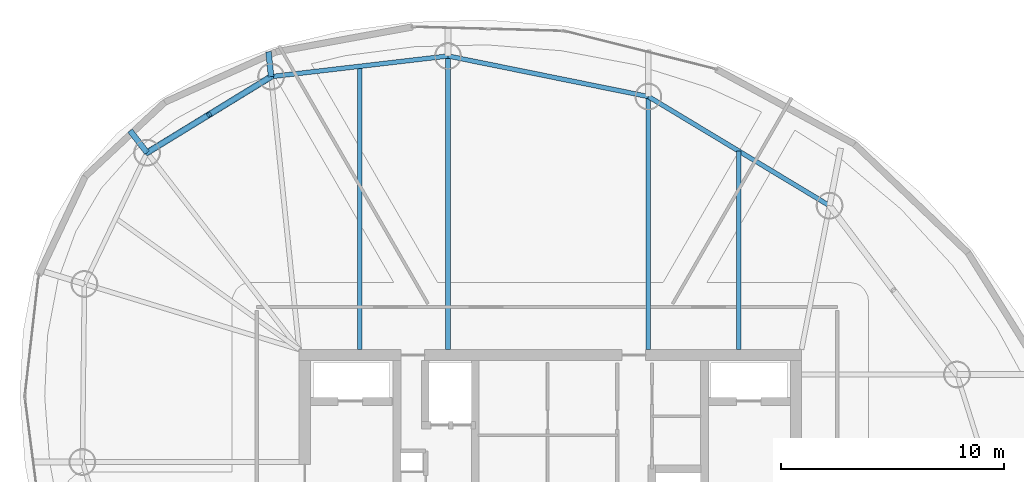
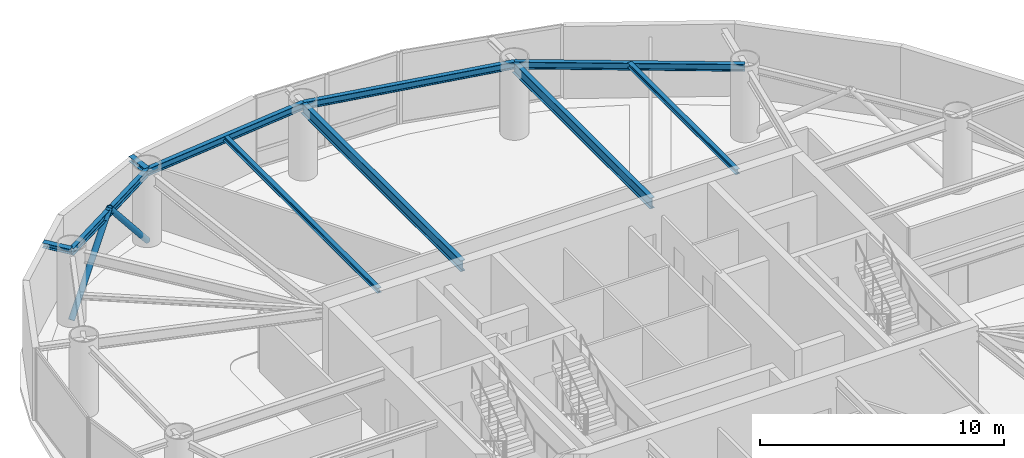
# One storey, part 11 of 20: 10 beams, 2 members.
"""IFC4 building model written with IfcOpenShell, lengths in metres."""

from ifc_helpers import new_model, si_unit, direction, frame, origin, origin_2d, place, context, subcontext, project, spatial, hollow_circle, i_section, extrude, material, material_profile, profile_set, type_object, element, save


model = new_model("IFC4")

# Units and contexts
model_context = context("Model", 3, precision=1e-05, world=origin(), true_north=direction((0.0, 1.0)))
body_context = subcontext(model_context, "Body", "Model", "MODEL_VIEW")
ifc_project = project(units=[si_unit("LENGTHUNIT", "METRE"), si_unit("AREAUNIT", "SQUARE_METRE"), si_unit("VOLUMEUNIT", "CUBIC_METRE"), si_unit("PLANEANGLEUNIT", "RADIAN"), si_unit("MASSUNIT", "GRAM", prefix="KILO")], contexts=[model_context])

# Site, building, storey
site_placement = place(None, origin())
site = spatial("IfcSite", under=ifc_project, at=site_placement, CompositionType="ELEMENT")
building_placement = place(site_placement, origin())
building = spatial("IfcBuilding", under=site, at=building_placement, Name="Bramvorn Convention Spire", CompositionType="ELEMENT")
storey_placement = place(building_placement, frame((0.0, 0.0, 175.050048828125)))
storey = spatial("IfcBuildingStorey", under=building, at=storey_placement, Name="L44", CompositionType="ELEMENT", Elevation=175.050048828125)

# Beams
ifc_material = material(Name="Steel CSA G40.21 Grade 350 (350W)", Category="steel")
ifc_material_profile_1 = material_profile(ifc_material, i_section(OverallWidth=0.201904296875, OverallDepth=0.2470703125, WebThickness=0.00732421875, FlangeThickness=0.010986328125, FilletRadius=0.011962890625, at=origin_2d()))
ifc_profile_set_1 = profile_set([ifc_material_profile_1], Name="Steel CSA G40.21 Grade 350 (350W) - W250X49")
beam_type_1 = type_object("IfcBeamType", Name="BM-W250X49", PredefinedType="JOIST", material=ifc_profile_set_1)
beam_1_placement = place(storey_placement, frame((46.445556640625, 33.449951171875, 3.496337890625), z_axis=(0.0, 1.0, 0.0), x_axis=(-1.0, 0.0, 0.0)))
element("IfcBeam", 1, at=beam_1_placement, inside=storey, type_object=beam_type_1, Name="L44 composite floor joist 05", PredefinedType="JOIST", context=body_context, shape_type="SweptSolid", body=[
    extrude(i_section(OverallWidth=0.201904296875, OverallDepth=0.2470703125, WebThickness=0.00732421875, FlangeThickness=0.010986328125, FilletRadius=0.011962890625, at=origin_2d()), origin(), (0.0, 0.0, 1.0), 8.878662109375),
])
beam_2_placement = place(storey_placement, frame((29.455810546875, 33.449951171875, 3.496337890625), z_axis=(0.0, 1.0, 0.0), x_axis=(-1.0, 0.0, 0.0)))
element("IfcBeam", 2, at=beam_2_placement, inside=storey, type_object=beam_type_1, Name="L44 composite floor joist 07", PredefinedType="JOIST", context=body_context, shape_type="SweptSolid", body=[
    extrude(i_section(OverallWidth=0.201904296875, OverallDepth=0.2470703125, WebThickness=0.00732421875, FlangeThickness=0.010986328125, FilletRadius=0.011962890625, at=origin_2d()), origin(), (0.0, 0.0, 1.0), 12.676025390625),
])
ifc_material_profile_2 = material_profile(ifc_material, i_section(OverallWidth=0.25390625, OverallDepth=0.2529296875, WebThickness=0.008544921875, FlangeThickness=0.01416015625, FilletRadius=0.011962890625, at=origin_2d()))
ifc_profile_set_2 = profile_set([ifc_material_profile_2], Name="Steel CSA G40.21 Grade 350 (350W) - W250X73")
beam_type_2 = type_object("IfcBeamType", Name="BM-W250X73", PredefinedType="BEAM", material=ifc_profile_set_2)
beam_3_placement = place(storey_placement, frame((25.49560546875, 45.663818359375, 3.493408203125), z_axis=(-0.102222430935, 0.994761566715, 0.0), x_axis=(-0.994761566715, -0.102222430935, 0.0)))
element("IfcBeam", 3, at=beam_3_placement, inside=storey, type_object=beam_type_2, Name="L44 slab-edge cantilever tip beam MC08", PredefinedType="BEAM", context=body_context, shape_type="SweptSolid", body=[
    extrude(i_section(OverallWidth=0.25390625, OverallDepth=0.2529296875, WebThickness=0.008544921875, FlangeThickness=0.01416015625, FilletRadius=0.011962890625, at=origin_2d()), origin(), (0.0, 0.0, 1.0), 1.1201171875),
])
beam_4_placement = place(storey_placement, frame((19.941650390625, 42.260009765625, 3.493408203125), z_axis=(-0.611570541195, 0.791189909657, 0.0), x_axis=(-0.791189909657, -0.611570541195, 0.0)))
element("IfcBeam", 4, at=beam_4_placement, inside=storey, type_object=beam_type_2, Name="L44 slab-edge cantilever tip beam MC09", PredefinedType="BEAM", context=body_context, shape_type="SweptSolid", body=[
    extrude(i_section(OverallWidth=0.25390625, OverallDepth=0.2529296875, WebThickness=0.008544921875, FlangeThickness=0.01416015625, FilletRadius=0.011962890625, at=origin_2d()), origin(), (0.0, 0.0, 1.0), 1.242431640625),
])
ifc_material_profile_3 = material_profile(ifc_material, i_section(OverallWidth=0.205078125, OverallDepth=0.35400390625, WebThickness=0.009521484375, FlangeThickness=0.016845703125, FilletRadius=0.014892578125, at=origin_2d()))
ifc_profile_set_3 = profile_set([ifc_material_profile_3], Name="Steel CSA G40.21 Grade 350 (350W) - W360X79")
beam_type_3 = type_object("IfcBeamType", Name="BM-W360X79", PredefinedType="JOIST", material=ifc_profile_set_3)
beam_5_placement = place(storey_placement, frame((50.501953125, 39.885009765625, 3.44287109375), z_axis=(-0.856581795745, 0.516011266543, 0.0), x_axis=(-0.516011266543, -0.856581795745, 0.0)))
element("IfcBeam", 5, at=beam_5_placement, inside=storey, type_object=beam_type_3, Name="L44 mega-column ring beam 05", PredefinedType="JOIST", context=body_context, shape_type="SweptSolid", body=[
    extrude(i_section(OverallWidth=0.205078125, OverallDepth=0.35400390625, WebThickness=0.009521484375, FlangeThickness=0.016845703125, FilletRadius=0.014892578125, at=origin_2d()), origin(), (0.0, 0.0, 1.0), 9.47119140625),
])
beam_6_placement = place(storey_placement, frame((42.38916015625, 44.772216796875, 3.44287109375), z_axis=(-0.980124701676, 0.198382381187, 0.0), x_axis=(-0.198382381187, -0.980124701676, 0.0)))
element("IfcBeam", 6, at=beam_6_placement, inside=storey, type_object=beam_type_3, Name="L44 mega-column ring beam 06", PredefinedType="JOIST", context=body_context, shape_type="SweptSolid", body=[
    extrude(i_section(OverallWidth=0.205078125, OverallDepth=0.35400390625, WebThickness=0.009521484375, FlangeThickness=0.016845703125, FilletRadius=0.014892578125, at=origin_2d()), origin(), (0.0, 0.0, 1.0), 9.15478515625),
])
beam_7_placement = place(storey_placement, frame((33.416259765625, 46.58837890625, 3.44287109375), z_axis=(-0.993256148339, -0.115940604561, 0.0), x_axis=(0.115940604561, -0.993256148339, 0.0)))
element("IfcBeam", 7, at=beam_7_placement, inside=storey, type_object=beam_type_3, Name="L44 mega-column ring beam 07", PredefinedType="JOIST", context=body_context, shape_type="SweptSolid", body=[
    extrude(i_section(OverallWidth=0.205078125, OverallDepth=0.35400390625, WebThickness=0.009521484375, FlangeThickness=0.016845703125, FilletRadius=0.014892578125, at=origin_2d()), origin(), (0.0, 0.0, 1.0), 7.974365234375),
])
beam_8_placement = place(storey_placement, frame((25.49560546875, 45.663818359375, 3.44287109375), z_axis=(-0.852616873135, -0.522536570629, 0.0), x_axis=(0.522536570629, -0.852616873135, 0.0)))
element("IfcBeam", 8, at=beam_8_placement, inside=storey, type_object=beam_type_3, Name="L44 mega-column ring beam 08", PredefinedType="JOIST", context=body_context, shape_type="SweptSolid", body=[
    extrude(i_section(OverallWidth=0.205078125, OverallDepth=0.35400390625, WebThickness=0.009521484375, FlangeThickness=0.016845703125, FilletRadius=0.014892578125, at=origin_2d()), origin(), (0.0, 0.0, 1.0), 6.513916015625),
])
ifc_material_profile_4 = material_profile(ifc_material, i_section(OverallWidth=0.2119140625, OverallDepth=0.5439453125, WebThickness=0.01318359375, FlangeThickness=0.021240234375, FilletRadius=0.01904296875, at=origin_2d()))
ifc_profile_set_4 = profile_set([ifc_material_profile_4], Name="Steel CSA G40.21 Grade 350 (350W) - W530X123")
beam_type_4 = type_object("IfcBeamType", Name="BM-W530X123", PredefinedType="BEAM", material=ifc_profile_set_4)
beam_9_placement = place(storey_placement, frame((42.38916015625, 33.449951171875, 3.347900390625), z_axis=(0.0, 1.0, 0.0), x_axis=(-1.0, 0.0, 0.0)))
element("IfcBeam", 9, at=beam_9_placement, inside=storey, type_object=beam_type_4, Name="L44 radial floor girder MC06", PredefinedType="BEAM", context=body_context, shape_type="SweptSolid", body=[
    extrude(i_section(OverallWidth=0.2119140625, OverallDepth=0.5439453125, WebThickness=0.01318359375, FlangeThickness=0.021240234375, FilletRadius=0.01904296875, at=origin_2d()), origin(), (0.0, 0.0, 1.0), 11.322265625),
])
beam_10_placement = place(storey_placement, frame((33.416259765625, 33.449951171875, 3.347900390625), z_axis=(0.0, 1.0, 0.0), x_axis=(-1.0, 0.0, 0.0)))
element("IfcBeam", 10, at=beam_10_placement, inside=storey, type_object=beam_type_4, Name="L44 radial floor girder MC07", PredefinedType="BEAM", context=body_context, shape_type="SweptSolid", body=[
    extrude(i_section(OverallWidth=0.2119140625, OverallDepth=0.5439453125, WebThickness=0.01318359375, FlangeThickness=0.021240234375, FilletRadius=0.01904296875, at=origin_2d()), origin(), (0.0, 0.0, 1.0), 13.138427734375),
])

# Members
ifc_material_profile_5 = material_profile(ifc_material, hollow_circle(Radius=0.136474609375, WallThickness=0.0126953125, at=origin_2d()))
ifc_profile_set_5 = profile_set([ifc_material_profile_5], Name="Steel CSA G40.21 Grade 350 (350W) - CHS273X13")
member_type = type_object("IfcMemberType", Name="MBR-CHS273X13", PredefinedType="BRACE", material=ifc_profile_set_5)
member_1_placement = place(storey_placement, frame((25.49560546875, 45.663818359375, 0.0), z_axis=(-0.570302340607, -0.349501328912, 0.743373433334), x_axis=(0.522519873149, -0.852627106163, 0.0)))
element("IfcMember", 11, at=member_1_placement, inside=storey, type_object=member_type, Name="L44 perimeter Gothic lancet brace 8A", PredefinedType="BRACE", context=body_context, shape_type="SweptSolid", body=[
    extrude(hollow_circle(Radius=0.136474609375, WallThickness=0.0126953125, at=origin_2d()), origin(), (0.0, 0.0, 1.0), 4.86962890625),
])
member_2_placement = place(storey_placement, frame((19.941650390625, 42.260009765625, 0.0), z_axis=(0.57026850931, 0.349511322174, 0.743394688548), x_axis=(-0.522553268977, 0.852606639126, 0.0)))
element("IfcMember", 12, at=member_2_placement, inside=storey, type_object=member_type, Name="L44 perimeter Gothic lancet brace 8B", PredefinedType="BRACE", context=body_context, shape_type="SweptSolid", body=[
    extrude(hollow_circle(Radius=0.136474609375, WallThickness=0.0126953125, at=origin_2d()), origin(), (0.0, 0.0, 1.0), 4.869384765625),
])

save(model, "model.ifc")
